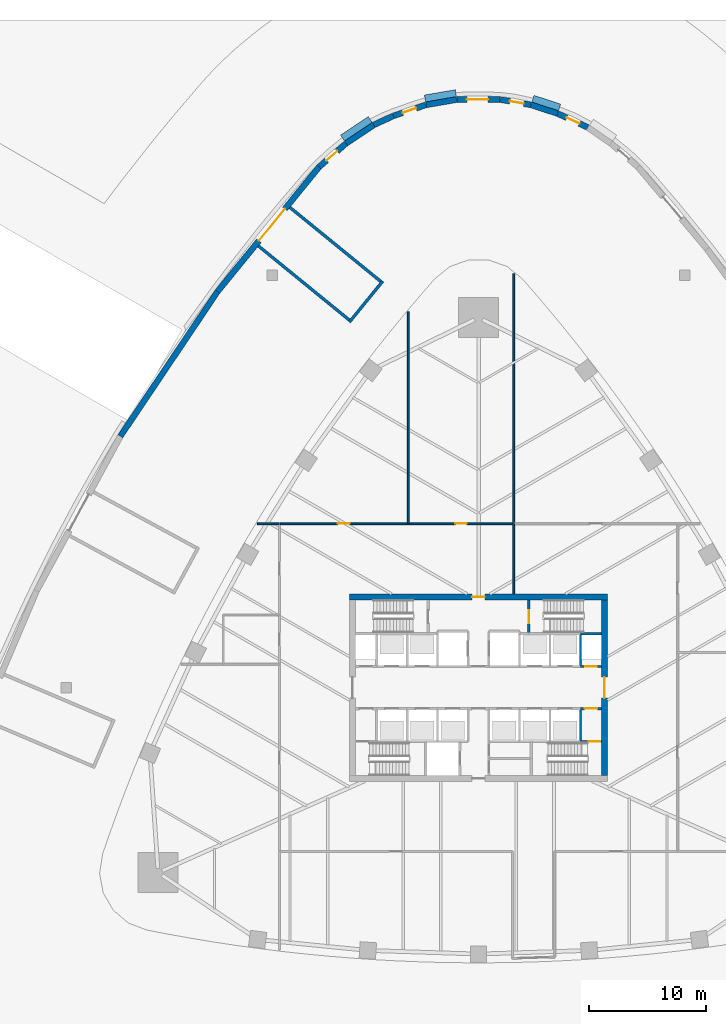
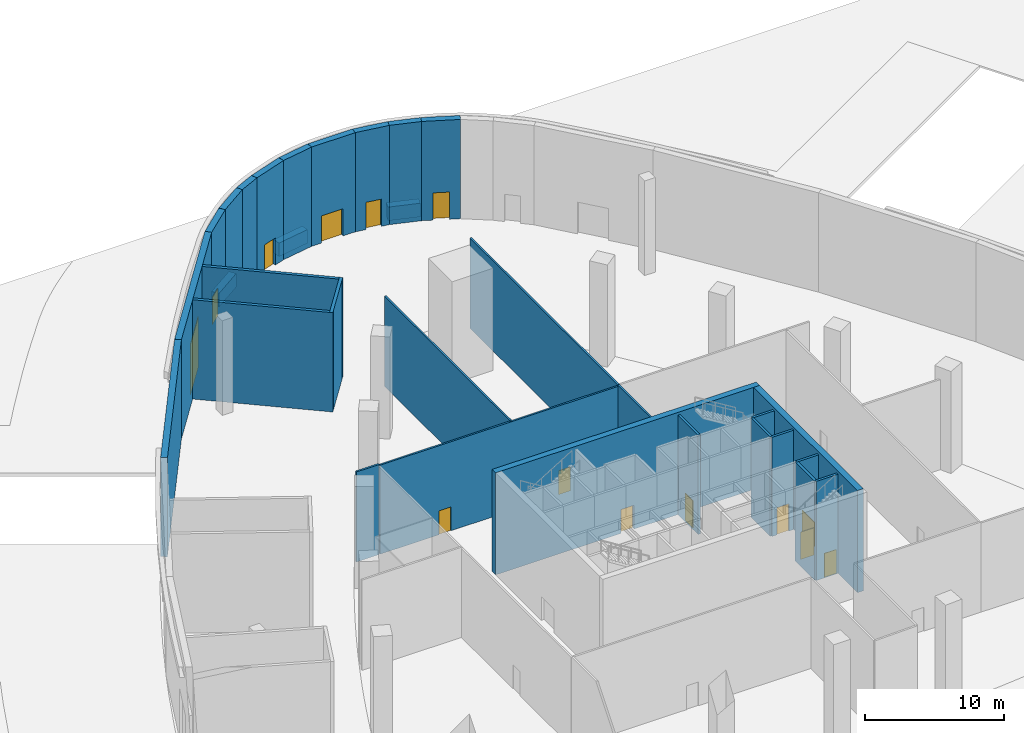
# One storey, part 13 of 29: 31 walls, 14 doors, 14 openings.
"""IFC4 building model written with IfcOpenShell, lengths in metres."""

from ifc_helpers import new_model, si_unit, direction, frame, frame_2d, origin, place, context, subcontext, project, spatial, rectangle, extrude, material, layer, layer_set, type_object, element, fill, save


model = new_model("IFC4")

# Units and contexts
model_context = context("Model", 3, precision=1e-05, world=origin(), true_north=direction((0.0, 1.0)))
body_context = subcontext(model_context, "Body", "Model", "MODEL_VIEW")
ifc_project = project(units=[si_unit("LENGTHUNIT", "METRE"), si_unit("AREAUNIT", "SQUARE_METRE"), si_unit("VOLUMEUNIT", "CUBIC_METRE"), si_unit("PLANEANGLEUNIT", "RADIAN"), si_unit("MASSUNIT", "GRAM", prefix="KILO")], contexts=[model_context])

# Site, building, storey
site_placement = place(None, origin())
site = spatial("IfcSite", under=ifc_project, at=site_placement, CompositionType="ELEMENT")
building_placement = place(site_placement, origin())
building = spatial("IfcBuilding", under=site, at=building_placement, Name="Sierra Prisma Convention Tower", CompositionType="ELEMENT")
storey_placement = place(building_placement, origin())
storey = spatial("IfcBuildingStorey", under=building, at=storey_placement, Name="L00", CompositionType="ELEMENT", Elevation=0.0)

# Wall, opening, door
ifc_material_1 = material(Name="Concrete C30/37", Category="concrete")
ifc_layer_1 = layer(ifc_material_1, 0.199951171875)
ifc_layer_set_1 = layer_set([ifc_layer_1], Name="Core wall RC 200 C30/37")
wall_type_1 = type_object("IfcWallType", Name="Core wall RC 200 C30/37", PredefinedType="SOLIDWALL", material=ifc_layer_set_1)
wall_1_placement = place(storey_placement, frame((4.300048828125, 7.5, 0.0), z_axis=(0.0, 0.0, 1.0), x_axis=(0.0, -1.0, 0.0)))
wall_1 = element("IfcWall", 1, at=wall_1_placement, inside=storey, type_object=wall_type_1, Name="Core wall L00 51", PredefinedType="SOLIDWALL", context=body_context, shape_type="SweptSolid", body=[
    extrude(rectangle(XDim=2.89990234375, YDim=0.199951171875, at=frame_2d((1.449951171875, 0.0))), origin(), (0.0, 0.0, 1.0), 8.75),
])
opening_1_placement = place(wall_1_placement, frame((0.89990234375, 0.0, 0.0)))
opening_1 = element("IfcOpeningElement", 2, at=opening_1_placement, cuts=wall_1, Name="Opening L00-D023", PredefinedType="OPENING", context=body_context, shape_type="SweptSolid", body=[
    extrude(rectangle(XDim=1.10009765625, YDim=2.39990234375, at=frame_2d((0.550048828125, 1.199951171875))), frame((0.0, 0.10009765625, 0.0), z_axis=(0.0, -1.0, 0.0), x_axis=(1.0, 0.0, 0.0)), (0.0, 0.0, 1.0), 0.199951171875),
])
ifc_material_2 = material(Name="Steel fire door leaf", Category="steel")
door_type_1 = type_object("IfcDoorType", Name="Door 1100x2400 FD90S", OperationType="SINGLE_SWING_LEFT", PredefinedType="DOOR", material=ifc_material_2)
door_1_placement = place(opening_1_placement, origin())
door_1 = element("IfcDoor", 3, at=door_1_placement, inside=storey, type_object=door_type_1, Name="Door L00 35", OperationType="SINGLE_SWING_RIGHT", OverallHeight=2.39990234375, OverallWidth=1.10009765625, PredefinedType="DOOR", context=body_context, shape_type="SweptSolid", body=[
    extrude(rectangle(XDim=1.10009765625, YDim=2.39990234375, at=frame_2d((0.550048828125, 1.199951171875))), frame((0.0, 0.02490234375, 0.0), z_axis=(0.0, -1.0, 0.0), x_axis=(1.0, 0.0, 0.0)), (0.0, 0.0, 1.0), 0.050048828125),
])
fill(opening_1, door_1)

wall_2_placement = place(storey_placement, frame((8.699951171875, -4.60009765625, 0.0), z_axis=(0.0, 0.0, 1.0), x_axis=(1.0, 0.0, 0.0)))
wall_2 = element("IfcWall", 4, at=wall_2_placement, inside=storey, type_object=wall_type_1, Name="Core wall L00 61", PredefinedType="SOLIDWALL", context=body_context, shape_type="SweptSolid", body=[
    extrude(rectangle(XDim=1.800048828125, YDim=0.199951171875, at=frame_2d((0.89990234375, 0.0))), origin(), (0.0, 0.0, 1.0), 8.75),
])
opening_2_placement = place(wall_2_placement, frame((0.699951171875, 0.0, 0.0)))
opening_2 = element("IfcOpeningElement", 5, at=opening_2_placement, cuts=wall_2, Name="Opening L00-D021", PredefinedType="OPENING", context=body_context, shape_type="SweptSolid", body=[
    extrude(rectangle(XDim=1.0, YDim=2.10009765625, at=frame_2d((0.5, 1.050048828125))), frame((0.0, 0.10009765625, 0.0), z_axis=(0.0, -1.0, 0.0), x_axis=(1.0, 0.0, 0.0)), (0.0, 0.0, 1.0), 0.199951171875),
])
ifc_material_3 = material(Name="Steel fire door leaf", Category="steel")
door_type_2 = type_object("IfcDoorType", Name="Door 1000x2100 FD90S", OperationType="SINGLE_SWING_LEFT", PredefinedType="DOOR", material=ifc_material_3)
door_2_placement = place(opening_2_placement, origin())
door_2 = element("IfcDoor", 6, at=door_2_placement, inside=storey, type_object=door_type_2, Name="Door L00 33", OperationType="SINGLE_SWING_RIGHT", OverallHeight=2.10009765625, OverallWidth=1.0, PredefinedType="DOOR", context=body_context, shape_type="SweptSolid", body=[
    extrude(rectangle(XDim=1.0, YDim=2.10009765625, at=frame_2d((0.5, 1.050048828125))), frame((0.0, 0.02490234375, 0.0), z_axis=(0.0, -1.0, 0.0), x_axis=(1.0, 0.0, 0.0)), (0.0, 0.0, 1.0), 0.050048828125),
])
fill(opening_2, door_2)

# Wall
wall_3_placement = place(storey_placement, frame((8.699951171875, -1.800048828125, 0.0), z_axis=(0.0, 0.0, 1.0), x_axis=(0.0, -1.0, 0.0)))
element("IfcWall", 7, at=wall_3_placement, inside=storey, type_object=wall_type_1, Name="Core wall L00 62", PredefinedType="SOLIDWALL", context=body_context, shape_type="SweptSolid", body=[
    extrude(rectangle(XDim=2.800048828125, YDim=0.199951171875, at=frame_2d((1.39990234375, 0.0))), origin(), (0.0, 0.0, 1.0), 8.75),
])

# Wall, opening, door
wall_4_placement = place(storey_placement, frame((8.699951171875, -1.800048828125, 0.0), z_axis=(0.0, 0.0, 1.0), x_axis=(1.0, 0.0, 0.0)))
wall_4 = element("IfcWall", 8, at=wall_4_placement, inside=storey, type_object=wall_type_1, Name="Core wall L00 63", PredefinedType="SOLIDWALL", context=body_context, shape_type="SweptSolid", body=[
    extrude(rectangle(XDim=1.800048828125, YDim=0.199951171875, at=frame_2d((0.89990234375, 0.0))), origin(), (0.0, 0.0, 1.0), 8.75),
])
opening_3_placement = place(wall_4_placement, frame((0.35009765625, 0.0, 0.0)))
opening_3 = element("IfcOpeningElement", 9, at=opening_3_placement, cuts=wall_4, Name="Opening L00-D015", PredefinedType="OPENING", context=body_context, shape_type="SweptSolid", body=[
    extrude(rectangle(XDim=1.10009765625, YDim=2.39990234375, at=frame_2d((0.550048828125, 1.199951171875))), frame((0.0, 0.10009765625, 0.0), z_axis=(0.0, -1.0, 0.0), x_axis=(1.0, 0.0, 0.0)), (0.0, 0.0, 1.0), 0.199951171875),
])
door_3_placement = place(opening_3_placement, origin())
door_3 = element("IfcDoor", 10, at=door_3_placement, inside=storey, type_object=door_type_1, Name="Door L00 27", OperationType="SINGLE_SWING_RIGHT", OverallHeight=2.39990234375, OverallWidth=1.10009765625, PredefinedType="DOOR", context=body_context, shape_type="SweptSolid", body=[
    extrude(rectangle(XDim=1.10009765625, YDim=2.39990234375, at=frame_2d((0.550048828125, 1.199951171875))), frame((0.0, 0.02490234375, 0.0), z_axis=(0.0, -1.0, 0.0), x_axis=(1.0, 0.0, 0.0)), (0.0, 0.0, 1.0), 0.050048828125),
])
fill(opening_3, door_3)

wall_5_placement = place(storey_placement, frame((10.5, 1.800048828125, 0.0), z_axis=(0.0, 0.0, 1.0), x_axis=(-1.0, 0.0, 0.0)))
wall_5 = element("IfcWall", 11, at=wall_5_placement, inside=storey, type_object=wall_type_1, Name="Core wall L00 64", PredefinedType="SOLIDWALL", context=body_context, shape_type="SweptSolid", body=[
    extrude(rectangle(XDim=1.800048828125, YDim=0.199951171875, at=frame_2d((0.89990234375, 0.0))), origin(), (0.0, 0.0, 1.0), 8.75),
])
opening_4_placement = place(wall_5_placement, frame((0.39990234375, 0.0, 0.0)))
opening_4 = element("IfcOpeningElement", 12, at=opening_4_placement, cuts=wall_5, Name="Opening L00-D019", PredefinedType="OPENING", context=body_context, shape_type="SweptSolid", body=[
    extrude(rectangle(XDim=1.0, YDim=2.39990234375, at=frame_2d((0.5, 1.199951171875))), frame((0.0, 0.10009765625, 0.0), z_axis=(0.0, -1.0, 0.0), x_axis=(1.0, 0.0, 0.0)), (0.0, 0.0, 1.0), 0.199951171875),
])
ifc_material_4 = material(Name="Steel fire door leaf", Category="steel")
door_type_3 = type_object("IfcDoorType", Name="Door 1000x2400 FD60S", OperationType="SINGLE_SWING_LEFT", PredefinedType="DOOR", material=ifc_material_4)
door_4_placement = place(opening_4_placement, origin())
door_4 = element("IfcDoor", 13, at=door_4_placement, inside=storey, type_object=door_type_3, Name="Door L00 31", OperationType="SINGLE_SWING_RIGHT", OverallHeight=2.39990234375, OverallWidth=1.0, PredefinedType="DOOR", context=body_context, shape_type="SweptSolid", body=[
    extrude(rectangle(XDim=1.0, YDim=2.39990234375, at=frame_2d((0.5, 1.199951171875))), frame((0.0, 0.02490234375, 0.0), z_axis=(0.0, -1.0, 0.0), x_axis=(1.0, 0.0, 0.0)), (0.0, 0.0, 1.0), 0.050048828125),
])
fill(opening_4, door_4)

# Walls
wall_6_placement = place(storey_placement, frame((8.699951171875, 4.60009765625, 0.0), z_axis=(0.0, 0.0, 1.0), x_axis=(0.0, -1.0, 0.0)))
element("IfcWall", 14, at=wall_6_placement, inside=storey, type_object=wall_type_1, Name="Core wall L00 65", PredefinedType="SOLIDWALL", context=body_context, shape_type="SweptSolid", body=[
    extrude(rectangle(XDim=2.800048828125, YDim=0.199951171875, at=frame_2d((1.39990234375, 0.0))), origin(), (0.0, 0.0, 1.0), 8.75),
])
wall_7_placement = place(storey_placement, frame((10.5, 4.60009765625, 0.0), z_axis=(0.0, 0.0, 1.0), x_axis=(-1.0, 0.0, 0.0)))
element("IfcWall", 15, at=wall_7_placement, inside=storey, type_object=wall_type_1, Name="Core wall L00 66", PredefinedType="SOLIDWALL", context=body_context, shape_type="SweptSolid", body=[
    extrude(rectangle(XDim=1.800048828125, YDim=0.199951171875, at=frame_2d((0.89990234375, 0.0))), origin(), (0.0, 0.0, 1.0), 8.75),
])

# Wall, opening, door
ifc_material_5 = material(Name="Concrete C70/85", Category="concrete")
ifc_layer_2 = layer(ifc_material_5, 0.5)
ifc_layer_set_2 = layer_set([ifc_layer_2], Name="Core wall RC 500 C70/85")
wall_type_2 = type_object("IfcWallType", Name="Core wall RC 500 C70/85", PredefinedType="SHEAR", material=ifc_layer_set_2)
wall_8_placement = place(storey_placement, frame((-11.0, 7.75, 0.0), z_axis=(0.0, 0.0, 1.0), x_axis=(1.0, 0.0, 0.0)))
wall_8 = element("IfcWall", 16, at=wall_8_placement, inside=storey, type_object=wall_type_2, Name="Core wall N L00", PredefinedType="SHEAR", context=body_context, shape_type="SweptSolid", body=[
    extrude(rectangle(XDim=22.0, YDim=0.5, at=frame_2d((11.0, 0.0))), origin(), (0.0, 0.0, 1.0), 9.0),
])
opening_5_placement = place(wall_8_placement, frame((10.449951171875, 0.0, 0.0)))
opening_5 = element("IfcOpeningElement", 17, at=opening_5_placement, cuts=wall_8, Name="Opening L00-D067", PredefinedType="OPENING", context=body_context, shape_type="SweptSolid", body=[
    extrude(rectangle(XDim=1.10009765625, YDim=2.10009765625, at=frame_2d((0.550048828125, 1.050048828125))), frame((0.0, 0.25, 0.0), z_axis=(0.0, -1.0, 0.0), x_axis=(1.0, 0.0, 0.0)), (0.0, 0.0, 1.0), 0.5),
])
ifc_material_6 = material(Name="Steel fire door leaf", Category="steel")
door_type_4 = type_object("IfcDoorType", Name="Door 1100x2100 FD60S", OperationType="SINGLE_SWING_LEFT", PredefinedType="DOOR", material=ifc_material_6)
door_5_placement = place(opening_5_placement, origin())
door_5 = element("IfcDoor", 18, at=door_5_placement, inside=storey, type_object=door_type_4, Name="Door L00 40", OperationType="SINGLE_SWING_RIGHT", OverallHeight=2.10009765625, OverallWidth=1.10009765625, PredefinedType="DOOR", context=body_context, shape_type="SweptSolid", body=[
    extrude(rectangle(XDim=1.10009765625, YDim=2.10009765625, at=frame_2d((0.550048828125, 1.050048828125))), frame((0.0, 0.02490234375, 0.0), z_axis=(0.0, -1.0, 0.0), x_axis=(1.0, 0.0, 0.0)), (0.0, 0.0, 1.0), 0.050048828125),
])
fill(opening_5, door_5)

wall_9_placement = place(storey_placement, frame((10.75, -7.5, 0.0), z_axis=(0.0, 0.0, 1.0), x_axis=(0.0, 1.0, 0.0)))
wall_9 = element("IfcWall", 19, at=wall_9_placement, inside=storey, type_object=wall_type_2, Name="Core wall E L00", PredefinedType="SHEAR", context=body_context, shape_type="SweptSolid", body=[
    extrude(rectangle(XDim=15.0, YDim=0.5, at=frame_2d((7.5, 0.0))), origin(), (0.0, 0.0, 1.0), 9.0),
])
opening_6_placement = place(wall_9_placement, frame((6.60009765625, 0.0, 0.0)))
opening_6 = element("IfcOpeningElement", 20, at=opening_6_placement, cuts=wall_9, Name="Opening L00-D066", PredefinedType="OPENING", context=body_context, shape_type="SweptSolid", body=[
    extrude(rectangle(XDim=1.800048828125, YDim=2.10009765625, at=frame_2d((0.89990234375, 1.050048828125))), frame((0.0, 0.25, 0.0), z_axis=(0.0, -1.0, 0.0), x_axis=(1.0, 0.0, 0.0)), (0.0, 0.0, 1.0), 0.5),
])
ifc_material_7 = material(Name="Steel fire door leaf", Category="steel")
door_type_5 = type_object("IfcDoorType", Name="Door 1800x2100 FD60S", OperationType="DOUBLE_DOOR_SINGLE_SWING", PredefinedType="DOOR", material=ifc_material_7)
door_6_placement = place(opening_6_placement, origin())
door_6 = element("IfcDoor", 21, at=door_6_placement, inside=storey, type_object=door_type_5, Name="Door L00 39", OperationType="DOUBLE_DOOR_SINGLE_SWING", OverallHeight=2.10009765625, OverallWidth=1.800048828125, PredefinedType="DOOR", context=body_context, shape_type="SweptSolid", body=[
    extrude(rectangle(XDim=1.800048828125, YDim=2.10009765625, at=frame_2d((0.89990234375, 1.050048828125))), frame((0.0, 0.02490234375, 0.0), z_axis=(0.0, -1.0, 0.0), x_axis=(1.0, 0.0, 0.0)), (0.0, 0.0, 1.0), 0.050048828125),
])
fill(opening_6, door_6)

# Wall, openings, doors
ifc_material_8 = material(Name="Gypsum board partition", Category="gypsum")
ifc_layer_3 = layer(ifc_material_8, 0.14990234375)
ifc_layer_set_3 = layer_set([ifc_layer_3], Name="Corridor wall 150 gypsum EI 60")
wall_type_3 = type_object("IfcWallType", Name="Corridor wall 150 gypsum EI 60", PredefinedType="PARTITIONING", material=ifc_layer_set_3)
wall_10_placement = place(storey_placement, frame((2.9990234375, 14.0, 0.0), z_axis=(0.0, 0.0, 1.0), x_axis=(-1.0, 0.0, 0.0)))
wall_10 = element("IfcWall", 22, at=wall_10_placement, inside=storey, type_object=wall_type_3, Name="Partition L00 corr 4", PredefinedType="PARTITIONING", context=body_context, shape_type="SweptSolid", body=[
    extrude(rectangle(XDim=19.9189453125, YDim=0.14990234375, at=frame_2d((9.95947265625, 0.0))), origin(), (0.0, 0.0, 1.0), 7.846923828125),
])
opening_7_placement = place(wall_10_placement, frame((3.99951171875, 0.0, 0.0)))
opening_7 = element("IfcOpeningElement", 23, at=opening_7_placement, cuts=wall_10, Name="Opening L00-D028", PredefinedType="OPENING", context=body_context, shape_type="SweptSolid", body=[
    extrude(rectangle(XDim=1.0, YDim=2.10009765625, at=frame_2d((0.5, 1.050048828125))), frame((0.0, 0.074951171875, 0.0), z_axis=(0.0, -1.0, 0.0), x_axis=(1.0, 0.0, 0.0)), (0.0, 0.0, 1.0), 0.14990234375),
])
opening_8_placement = place(wall_10_placement, frame((14.009033203125, 0.0, 0.0)))
opening_8 = element("IfcOpeningElement", 24, at=opening_8_placement, cuts=wall_10, Name="Opening L00-D029", PredefinedType="OPENING", context=body_context, shape_type="SweptSolid", body=[
    extrude(rectangle(XDim=1.0, YDim=2.10009765625, at=frame_2d((0.5, 1.050048828125))), frame((0.0, 0.074951171875, 0.0), z_axis=(0.0, -1.0, 0.0), x_axis=(1.0, 0.0, 0.0)), (0.0, 0.0, 1.0), 0.14990234375),
])
ifc_material_9 = material(Name="Steel fire door leaf", Category="steel")
door_type_6 = type_object("IfcDoorType", Name="Door 1000x2100 FD30S", OperationType="SINGLE_SWING_LEFT", PredefinedType="DOOR", material=ifc_material_9)
door_7_placement = place(opening_7_placement, origin())
door_7 = element("IfcDoor", 25, at=door_7_placement, inside=storey, type_object=door_type_6, Name="Door L00 3", OperationType="SINGLE_SWING_RIGHT", OverallHeight=2.10009765625, OverallWidth=1.0, PredefinedType="DOOR", context=body_context, shape_type="SweptSolid", body=[
    extrude(rectangle(XDim=1.0, YDim=2.10009765625, at=frame_2d((0.5, 1.050048828125))), frame((0.0, 0.02490234375, 0.0), z_axis=(0.0, -1.0, 0.0), x_axis=(1.0, 0.0, 0.0)), (0.0, 0.0, 1.0), 0.050048828125),
])
fill(opening_7, door_7)
door_8_placement = place(opening_8_placement, origin())
door_8 = element("IfcDoor", 26, at=door_8_placement, inside=storey, type_object=door_type_6, Name="Door L00 4", OperationType="SINGLE_SWING_LEFT", OverallHeight=2.10009765625, OverallWidth=1.0, PredefinedType="DOOR", context=body_context, shape_type="SweptSolid", body=[
    extrude(rectangle(XDim=1.0, YDim=2.10009765625, at=frame_2d((0.5, 1.050048828125))), frame((0.0, 0.02490234375, 0.0), z_axis=(0.0, -1.0, 0.0), x_axis=(1.0, 0.0, 0.0)), (0.0, 0.0, 1.0), 0.050048828125),
])
fill(opening_8, door_8)

# Walls
wall_11_placement = place(storey_placement, frame((2.9990234375, 8.0, 0.0), z_axis=(0.0, 0.0, 1.0), x_axis=(0.0, 1.0, 0.0)))
element("IfcWall", 27, at=wall_11_placement, inside=storey, type_object=wall_type_3, Name="Partition L00 corr 6", PredefinedType="PARTITIONING", context=body_context, shape_type="SweptSolid", body=[
    extrude(rectangle(XDim=6.0, YDim=0.14990234375, at=frame_2d((3.0, 0.0))), origin(), (0.0, 0.0, 1.0), 7.93994140625),
])
ifc_material_10 = material(Name="Concrete C40/50, exposed finish", Category="concrete")
ifc_layer_4 = layer(ifc_material_10, 0.25)
ifc_layer_set_4 = layer_set([ifc_layer_4], Name="Dock bay wall 250")
wall_type_4 = type_object("IfcWallType", Name="Dock bay wall 250", PredefinedType="STANDARD", material=ifc_layer_set_4)
wall_12_placement = place(storey_placement, frame((-18.79150390625, 37.705322265625, 0.0), z_axis=(0.0, 0.0, 1.0), x_axis=(0.775168884735, -0.631754066182, 0.0)))
element("IfcWall", 28, at=wall_12_placement, inside=storey, type_object=wall_type_4, Name="Loading dock 3 side wall", PredefinedType="STANDARD", context=body_context, shape_type="SweptSolid", body=[
    extrude(rectangle(XDim=10.249755859375, YDim=0.25, at=frame_2d((5.125, 0.0))), origin(), (0.0, 0.0, 1.0), 8.75),
])
wall_13_placement = place(storey_placement, frame((-16.106689453125, 41.0, 0.0), z_axis=(0.0, 0.0, 1.0), x_axis=(0.775166726724, -0.631756714076, 0.0)))
element("IfcWall", 29, at=wall_13_placement, inside=storey, type_object=wall_type_4, Name="Loading dock 3 side wall", PredefinedType="STANDARD", context=body_context, shape_type="SweptSolid", body=[
    extrude(rectangle(XDim=10.250244140625, YDim=0.25, at=frame_2d((5.125, 0.0))), origin(), (0.0, 0.0, 1.0), 8.75),
])
wall_14_placement = place(storey_placement, frame((-11.02197265625, 31.212158203125, 0.0), z_axis=(0.0, 0.0, 1.0), x_axis=(0.631735746186, 0.77518381497, 0.0)))
element("IfcWall", 30, at=wall_14_placement, inside=storey, type_object=wall_type_4, Name="Loading dock 3 end wall", PredefinedType="STANDARD", context=body_context, shape_type="SweptSolid", body=[
    extrude(rectangle(XDim=4.5, YDim=0.25, at=frame_2d((2.25, 0.0))), origin(), (0.0, 0.0, 1.0), 8.75),
])

# Wall, opening, door
ifc_material_11 = material(Name="Concrete C40/50, ochre plaster finish", Category="concrete")
ifc_layer_5 = layer(ifc_material_11, 0.5)
ifc_layer_set_5 = layer_set([ifc_layer_5], Name="Ochre plastered wall 500")
wall_type_5 = type_object("IfcWallType", Name="Ochre plastered wall 500", PredefinedType="STANDARD", material=ifc_layer_set_5)
wall_15_placement = place(storey_placement, frame((6.753662109375, 49.010009765625, 0.0), z_axis=(0.0, 0.0, 1.0), x_axis=(0.908531523747, -0.417816311743, 0.0)))
wall_15 = element("IfcWall", 31, at=wall_15_placement, inside=storey, type_object=wall_type_5, Name="Plinth wall 32", PredefinedType="STANDARD", context=body_context, shape_type="SweptSolid", body=[
    extrude(rectangle(XDim=2.84326171875, YDim=0.5, at=frame_2d((1.421630859375, 0.0))), origin(), (0.0, 0.0, 1.0), 8.75),
])
opening_9_placement = place(wall_15_placement, frame((0.85009765625, 0.0, 0.0)))
opening_9 = element("IfcOpeningElement", 32, at=opening_9_placement, cuts=wall_15, Name="Opening L00-D060", PredefinedType="OPENING", context=body_context, shape_type="SweptSolid", body=[
    extrude(rectangle(XDim=1.199951171875, YDim=2.39990234375, at=frame_2d((0.60009765625, 1.199951171875))), frame((0.0, 0.25, 0.0), z_axis=(0.0, -1.0, 0.0), x_axis=(1.0, 0.0, 0.0)), (0.0, 0.0, 1.0), 0.5),
])
ifc_material_12 = material(Name="Painted steel, fire resisting", Category="steel")
door_type_7 = type_object("IfcDoorType", Name="Pedestrian exit door 1200 x 2400", OperationType="SINGLE_SWING_LEFT", PredefinedType="DOOR", material=ifc_material_12)
door_9_placement = place(opening_9_placement, origin())
door_9 = element("IfcDoor", 33, at=door_9_placement, inside=storey, type_object=door_type_7, Name="Pedestrian exit door", OperationType="SINGLE_SWING_RIGHT", OverallHeight=2.39990234375, OverallWidth=1.199951171875, PredefinedType="DOOR", context=body_context, shape_type="SweptSolid", body=[
    extrude(rectangle(XDim=1.199951171875, YDim=2.39990234375, at=frame_2d((0.60009765625, 1.199951171875))), frame((0.0, 0.02490234375, 0.0), z_axis=(0.0, -1.0, 0.0), x_axis=(1.0, 0.0, 0.0)), (0.0, 0.0, 1.0), 0.050048828125),
])
fill(opening_9, door_9)

wall_16_placement = place(storey_placement, frame((1.843017578125, 50.207763671875, 0.0), z_axis=(0.0, 0.0, 1.0), x_axis=(0.985566062788, -0.169291275262, 0.0)))
wall_16 = element("IfcWall", 34, at=wall_16_placement, inside=storey, type_object=wall_type_5, Name="Plinth wall 34", PredefinedType="STANDARD", context=body_context, shape_type="SweptSolid", body=[
    extrude(rectangle(XDim=2.66943359375, YDim=0.5, at=frame_2d((1.334716796875, 0.0))), origin(), (0.0, 0.0, 1.0), 8.75),
])
opening_10_placement = place(wall_16_placement, frame((0.85009765625, 0.0, 0.0)))
opening_10 = element("IfcOpeningElement", 35, at=opening_10_placement, cuts=wall_16, Name="Opening L00-D061", PredefinedType="OPENING", context=body_context, shape_type="SweptSolid", body=[
    extrude(rectangle(XDim=1.199951171875, YDim=2.39990234375, at=frame_2d((0.60009765625, 1.199951171875))), frame((0.0, 0.25, 0.0), z_axis=(0.0, -1.0, 0.0), x_axis=(1.0, 0.0, 0.0)), (0.0, 0.0, 1.0), 0.5),
])
door_10_placement = place(opening_10_placement, origin())
door_10 = element("IfcDoor", 36, at=door_10_placement, inside=storey, type_object=door_type_7, Name="Pedestrian exit door", OperationType="SINGLE_SWING_RIGHT", OverallHeight=2.39990234375, OverallWidth=1.199951171875, PredefinedType="DOOR", context=body_context, shape_type="SweptSolid", body=[
    extrude(rectangle(XDim=1.199951171875, YDim=2.39990234375, at=frame_2d((0.60009765625, 1.199951171875))), frame((0.0, 0.02490234375, 0.0), z_axis=(0.0, -1.0, 0.0), x_axis=(1.0, 0.0, 0.0)), (0.0, 0.0, 1.0), 0.050048828125),
])
fill(opening_10, door_10)

# Walls
wall_17_placement = place(storey_placement, frame((-4.4755859375, 49.755615234375, 0.0), z_axis=(0.0, 0.0, 1.0), x_axis=(0.985569614102, 0.169270599215, 0.0)))
element("IfcWall", 37, at=wall_17_placement, inside=storey, type_object=wall_type_5, Name="Plinth wall 36", PredefinedType="STANDARD", context=body_context, shape_type="SweptSolid", body=[
    extrude(rectangle(XDim=2.672607421875, YDim=0.5, at=frame_2d((1.33642578125, 0.0))), origin(), (0.0, 0.0, 1.0), 8.75),
])
wall_18_placement = place(storey_placement, frame((-8.94677734375, 48.04052734375, 0.0), z_axis=(0.0, 0.0, 1.0), x_axis=(0.90854301554, 0.41779132221, 0.0)))
element("IfcWall", 38, at=wall_18_placement, inside=storey, type_object=wall_type_5, Name="Plinth wall 38", PredefinedType="STANDARD", context=body_context, shape_type="SweptSolid", body=[
    extrude(rectangle(XDim=1.833740234375, YDim=0.5, at=frame_2d((0.9169921875, 0.0))), origin(), (0.0, 0.0, 1.0), 8.75),
])

# Wall, opening, door
wall_19_placement = place(storey_placement, frame((-13.61279296875, 44.455810546875, 0.0), z_axis=(0.0, 0.0, 1.0), x_axis=(0.75404582838, 0.656821808943, 0.0)))
wall_19 = element("IfcWall", 39, at=wall_19_placement, inside=storey, type_object=wall_type_5, Name="Plinth wall 40", PredefinedType="STANDARD", context=body_context, shape_type="SweptSolid", body=[
    extrude(rectangle(XDim=3.053466796875, YDim=0.5, at=frame_2d((1.52685546875, 0.0))), origin(), (0.0, 0.0, 1.0), 8.75),
])
opening_11_placement = place(wall_19_placement, frame((0.85009765625, 0.0, 0.0)))
opening_11 = element("IfcOpeningElement", 40, at=opening_11_placement, cuts=wall_19, Name="Opening L00-D063", PredefinedType="OPENING", context=body_context, shape_type="SweptSolid", body=[
    extrude(rectangle(XDim=1.199951171875, YDim=2.39990234375, at=frame_2d((0.60009765625, 1.199951171875))), frame((0.0, 0.25, 0.0), z_axis=(0.0, -1.0, 0.0), x_axis=(1.0, 0.0, 0.0)), (0.0, 0.0, 1.0), 0.5),
])
door_11_placement = place(opening_11_placement, origin())
door_11 = element("IfcDoor", 41, at=door_11_placement, inside=storey, type_object=door_type_7, Name="Pedestrian exit door", OperationType="SINGLE_SWING_LEFT", OverallHeight=2.39990234375, OverallWidth=1.199951171875, PredefinedType="DOOR", context=body_context, shape_type="SweptSolid", body=[
    extrude(rectangle(XDim=1.199951171875, YDim=2.39990234375, at=frame_2d((0.60009765625, 1.199951171875))), frame((0.0, 0.02490234375, 0.0), z_axis=(0.0, -1.0, 0.0), x_axis=(1.0, 0.0, 0.0)), (0.0, 0.0, 1.0), 0.050048828125),
])
fill(opening_11, door_11)

# Walls
wall_20_placement = place(storey_placement, frame((-30.58349609375, 21.45849609375, 0.0), z_axis=(0.0, 0.0, 1.0), x_axis=(0.557524967208, 0.830160171858, 0.0)))
element("IfcWall", 42, at=wall_20_placement, inside=storey, type_object=wall_type_5, Name="Plinth wall 42", PredefinedType="STANDARD", context=body_context, shape_type="SweptSolid", body=[
    extrude(rectangle(XDim=14.882080078125, YDim=0.5, at=frame_2d((7.44091796875, 0.0))), origin(), (0.0, 0.0, 1.0), 8.75),
])
ifc_material_13 = material(Name="Gypsum board partition", Category="gypsum")
ifc_layer_6 = layer(ifc_material_13, 0.14990234375)
ifc_layer_set_6 = layer_set([ifc_layer_6], Name="Party wall 150 gypsum")
wall_type_6 = type_object("IfcWallType", Name="Party wall 150 gypsum", PredefinedType="PARTITIONING", material=ifc_layer_set_6)
wall_21_placement = place(storey_placement, frame((-17.0, 14.0, 0.0), z_axis=(0.0, 0.0, 1.0), x_axis=(-1.0, 0.0, 0.0)))
element("IfcWall", 43, at=wall_21_placement, inside=storey, type_object=wall_type_6, Name="Partition L00 party 2", PredefinedType="PARTITIONING", context=body_context, shape_type="SweptSolid", body=[
    extrude(rectangle(XDim=1.88330078125, YDim=0.14990234375, at=frame_2d((0.941650390625, 0.0))), origin(), (0.0, 0.0, 1.0), 7.93994140625),
])
wall_22_placement = place(storey_placement, frame((-6.0, 14.0, 0.0), z_axis=(0.0, 0.0, 1.0), x_axis=(0.0, 1.0, 0.0)))
element("IfcWall", 44, at=wall_22_placement, inside=storey, type_object=wall_type_6, Name="Partition L00 party 4", PredefinedType="PARTITIONING", context=body_context, shape_type="SweptSolid", body=[
    extrude(rectangle(XDim=18.080810546875, YDim=0.14990234375, at=frame_2d((9.04052734375, 0.0))), origin(), (0.0, 0.0, 1.0), 7.93994140625),
])
wall_23_placement = place(storey_placement, frame((3.0009765625, 14.0, 0.0), z_axis=(0.0, 0.0, 1.0), x_axis=(0.0, 1.0, 0.0)))
element("IfcWall", 45, at=wall_23_placement, inside=storey, type_object=wall_type_6, Name="Partition L00 party 5", PredefinedType="PARTITIONING", context=body_context, shape_type="SweptSolid", body=[
    extrude(rectangle(XDim=21.343505859375, YDim=0.14990234375, at=frame_2d((10.671875, 0.0))), origin(), (0.0, 0.0, 1.0), 7.93994140625),
])
ifc_material_14 = material(Name="Concrete C40/50, bush-hammered finish", Category="concrete")
ifc_layer_7 = layer(ifc_material_14, 0.60009765625)
ifc_layer_set_7 = layer_set([ifc_layer_7], Name="Plinth base course 600")
wall_type_7 = type_object("IfcWallType", Name="Plinth base course 600", PredefinedType="STANDARD", material=ifc_layer_set_7)
wall_24_placement = place(storey_placement, frame((6.924560546875, 49.53271484375, 0.0), z_axis=(0.0, 0.0, 1.0), x_axis=(-0.950389469623, 0.311062463229, 0.0)))
element("IfcWall", 46, at=wall_24_placement, inside=storey, type_object=wall_type_7, Name="Plinth base course 12", PredefinedType="STANDARD", context=body_context, shape_type="SweptSolid", body=[
    extrude(rectangle(XDim=2.3984375, YDim=0.60009765625, at=frame_2d((1.19921875, 0.0))), origin(), (0.0, 0.0, 1.0), 1.199951171875),
])
wall_25_placement = place(storey_placement, frame((-1.9345703125, 50.75, 0.0), z_axis=(0.0, 0.0, 1.0), x_axis=(-0.985569614102, -0.169270599215, 0.0)))
element("IfcWall", 47, at=wall_25_placement, inside=storey, type_object=wall_type_7, Name="Plinth base course 13", PredefinedType="STANDARD", context=body_context, shape_type="SweptSolid", body=[
    extrude(rectangle(XDim=2.672607421875, YDim=0.60009765625, at=frame_2d((1.33642578125, 0.0))), origin(), (0.0, 0.0, 1.0), 1.199951171875),
])
wall_26_placement = place(storey_placement, frame((-9.252197265625, 48.497802734375, 0.0), z_axis=(0.0, 0.0, 1.0), x_axis=(-0.831521404501, -0.555492712695, 0.0)))
element("IfcWall", 48, at=wall_26_placement, inside=storey, type_object=wall_type_7, Name="Plinth base course 14", PredefinedType="STANDARD", context=body_context, shape_type="SweptSolid", body=[
    extrude(rectangle(XDim=2.8427734375, YDim=0.60009765625, at=frame_2d((1.42138671875, 0.0))), origin(), (0.0, 0.0, 1.0), 1.199951171875),
])
ifc_material_15 = material(Name="Concrete C40/50, rose plaster finish", Category="concrete")
ifc_layer_8 = layer(ifc_material_15, 0.5)
ifc_layer_set_8 = layer_set([ifc_layer_8], Name="Rose plastered wall 500")
wall_type_8 = type_object("IfcWallType", Name="Rose plastered wall 500", PredefinedType="STANDARD", material=ifc_layer_set_8)
wall_27_placement = place(storey_placement, frame((4.473876953125, 49.755859375, 0.0), z_axis=(0.0, 0.0, 1.0), x_axis=(0.950429399605, -0.310940438616, 0.0)))
element("IfcWall", 49, at=wall_27_placement, inside=storey, type_object=wall_type_8, Name="Plinth wall 33", PredefinedType="STANDARD", context=body_context, shape_type="SweptSolid", body=[
    extrude(rectangle(XDim=2.398681640625, YDim=0.5, at=frame_2d((1.19921875, 0.0))), origin(), (0.0, 0.0, 1.0), 8.75),
])

# Wall, opening, door
wall_28_placement = place(storey_placement, frame((-1.841552734375, 50.2080078125, 0.0), z_axis=(0.0, 0.0, 1.0), x_axis=(0.999999997805, -6.626027e-05, 0.0)))
wall_28 = element("IfcWall", 50, at=wall_28_placement, inside=storey, type_object=wall_type_8, Name="Plinth wall 35", PredefinedType="STANDARD", context=body_context, shape_type="SweptSolid", body=[
    extrude(rectangle(XDim=3.6845703125, YDim=0.5, at=frame_2d((1.84228515625, 0.0))), origin(), (0.0, 0.0, 1.0), 8.75),
])
opening_12_placement = place(wall_28_placement, frame((0.85009765625, 0.0, 0.0)))
opening_12 = element("IfcOpeningElement", 51, at=opening_12_placement, cuts=wall_28, Name="Opening L00-D052", PredefinedType="OPENING", context=body_context, shape_type="SweptSolid", body=[
    extrude(rectangle(XDim=1.800048828125, YDim=2.39990234375, at=frame_2d((0.89990234375, 1.199951171875))), frame((0.0, 0.25, 0.0), z_axis=(0.0, -1.0, 0.0), x_axis=(1.0, 0.0, 0.0)), (0.0, 0.0, 1.0), 0.5),
])
ifc_material_16 = material(Name="Painted steel, fire resisting", Category="steel")
door_type_8 = type_object("IfcDoorType", Name="Exit door double 1800 x 2400", OperationType="DOUBLE_DOOR_SINGLE_SWING", PredefinedType="DOOR", material=ifc_material_16)
door_12_placement = place(opening_12_placement, origin())
door_12 = element("IfcDoor", 52, at=door_12_placement, inside=storey, type_object=door_type_8, Name="Pedestrian exit door", OperationType="DOUBLE_DOOR_SINGLE_SWING", OverallHeight=2.39990234375, OverallWidth=1.800048828125, PredefinedType="DOOR", context=body_context, shape_type="SweptSolid", body=[
    extrude(rectangle(XDim=1.800048828125, YDim=2.39990234375, at=frame_2d((0.89990234375, 1.199951171875))), frame((0.0, 0.02490234375, 0.0), z_axis=(0.0, -1.0, 0.0), x_axis=(1.0, 0.0, 0.0)), (0.0, 0.0, 1.0), 0.050048828125),
])
fill(opening_12, door_12)

wall_29_placement = place(storey_placement, frame((-7.28076171875, 48.806640625, 0.0), z_axis=(0.0, 0.0, 1.0), x_axis=(0.94726410432, 0.320453922845, 0.0)))
wall_29 = element("IfcWall", 53, at=wall_29_placement, inside=storey, type_object=wall_type_8, Name="Plinth wall 37", PredefinedType="STANDARD", context=body_context, shape_type="SweptSolid", body=[
    extrude(rectangle(XDim=2.96142578125, YDim=0.5, at=frame_2d((1.480712890625, 0.0))), origin(), (0.0, 0.0, 1.0), 8.75),
])
opening_13_placement = place(wall_29_placement, frame((0.85009765625, 0.0, 0.0)))
opening_13 = element("IfcOpeningElement", 54, at=opening_13_placement, cuts=wall_29, Name="Opening L00-D062", PredefinedType="OPENING", context=body_context, shape_type="SweptSolid", body=[
    extrude(rectangle(XDim=1.199951171875, YDim=2.39990234375, at=frame_2d((0.60009765625, 1.199951171875))), frame((0.0, 0.25, 0.0), z_axis=(0.0, -1.0, 0.0), x_axis=(1.0, 0.0, 0.0)), (0.0, 0.0, 1.0), 0.5),
])
door_13_placement = place(opening_13_placement, origin())
door_13 = element("IfcDoor", 55, at=door_13_placement, inside=storey, type_object=door_type_7, Name="Pedestrian exit door", OperationType="SINGLE_SWING_RIGHT", OverallHeight=2.39990234375, OverallWidth=1.199951171875, PredefinedType="DOOR", context=body_context, shape_type="SweptSolid", body=[
    extrude(rectangle(XDim=1.199951171875, YDim=2.39990234375, at=frame_2d((0.60009765625, 1.199951171875))), frame((0.0, 0.02490234375, 0.0), z_axis=(0.0, -1.0, 0.0), x_axis=(1.0, 0.0, 0.0)), (0.0, 0.0, 1.0), 0.050048828125),
])
fill(opening_13, door_13)

# Wall
wall_30_placement = place(storey_placement, frame((-11.310302734375, 46.46142578125, 0.0), z_axis=(0.0, 0.0, 1.0), x_axis=(0.831494900489, 0.555532384709, 0.0)))
element("IfcWall", 56, at=wall_30_placement, inside=storey, type_object=wall_type_8, Name="Plinth wall 39", PredefinedType="STANDARD", context=body_context, shape_type="SweptSolid", body=[
    extrude(rectangle(XDim=2.842529296875, YDim=0.5, at=frame_2d((1.42138671875, 0.0))), origin(), (0.0, 0.0, 1.0), 8.75),
])

# Wall, opening, door
wall_31_placement = place(storey_placement, frame((-22.286376953125, 33.81298828125, 0.0), z_axis=(0.0, 0.0, 1.0), x_axis=(0.631745381592, 0.7751759625, 0.0)))
wall_31 = element("IfcWall", 57, at=wall_31_placement, inside=storey, type_object=wall_type_8, Name="Plinth wall 41", PredefinedType="STANDARD", context=body_context, shape_type="SweptSolid", body=[
    extrude(rectangle(XDim=13.7294921875, YDim=0.5, at=frame_2d((6.86474609375, 0.0))), origin(), (0.0, 0.0, 1.0), 8.75),
])
opening_14_placement = place(wall_31_placement, frame((5.60009765625, 0.0, 0.0)))
opening_14 = element("IfcOpeningElement", 58, at=opening_14_placement, cuts=wall_31, Name="Opening L00-D038", PredefinedType="OPENING", context=body_context, shape_type="SweptSolid", body=[
    extrude(rectangle(XDim=3.5, YDim=4.5, at=frame_2d((1.75, 2.25))), frame((0.0, 0.25, 0.0), z_axis=(0.0, -1.0, 0.0), x_axis=(1.0, 0.0, 0.0)), (0.0, 0.0, 1.0), 0.5),
])
ifc_material_17 = material(Name="Insulated steel sectional panels", Category="steel")
door_type_9 = type_object("IfcDoorType", Name="Loading dock door 3500 x 4500", OperationType="ROLLINGUP", PredefinedType="DOOR", material=ifc_material_17)
door_14_placement = place(opening_14_placement, origin())
door_14 = element("IfcDoor", 59, at=door_14_placement, inside=storey, type_object=door_type_9, Name="Loading dock door", OperationType="ROLLINGUP", OverallHeight=4.5, OverallWidth=3.5, PredefinedType="DOOR", context=body_context, shape_type="SweptSolid", body=[
    extrude(rectangle(XDim=3.5, YDim=4.5, at=frame_2d((1.75, 2.25))), frame((0.0, 0.02490234375, 0.0), z_axis=(0.0, -1.0, 0.0), x_axis=(1.0, 0.0, 0.0)), (0.0, 0.0, 1.0), 0.050048828125),
])
fill(opening_14, door_14)

save(model, "model.ifc")
